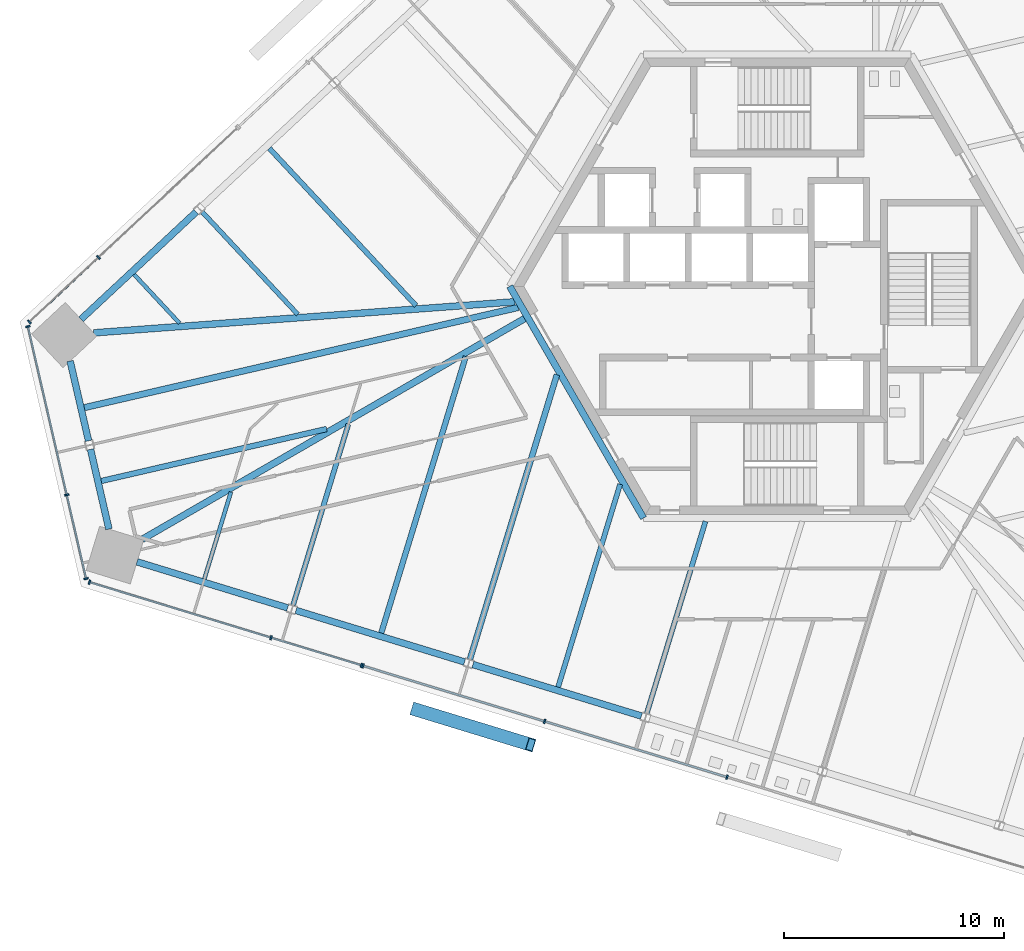
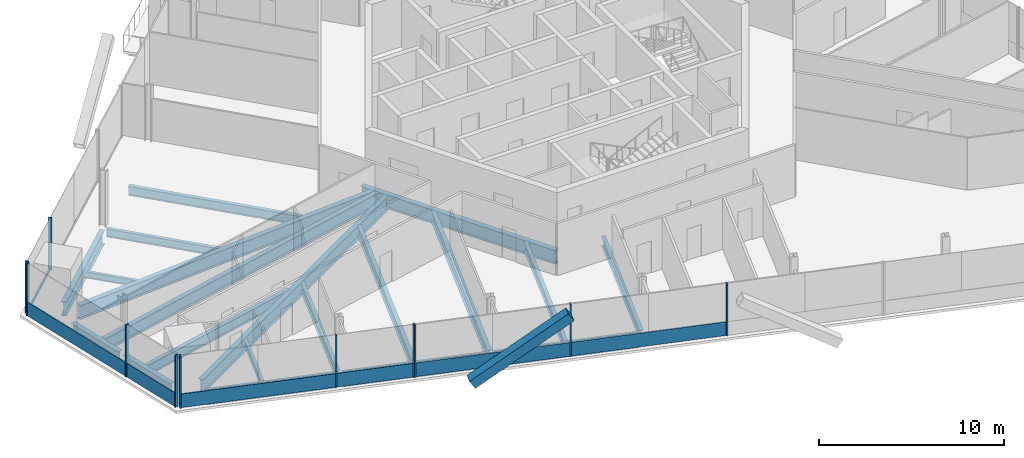
# One storey, part 4 of 19: 20 beams, 19 members, 4 elements without a shape of their own.
"""IFC4 building model written with IfcOpenShell, lengths in metres."""

import ifcopenshell
import ifcopenshell.guid

model = None  # the IFC model being written
_history = None  # IfcOwnerHistory: only IFC2X3 demands one
_inside = {}  # id of a spatial element -> (the spatial element, [elements in it])
_under = {}  # id of a project, library or spatial element -> (it, [spatial elements below it])
_declared = {}  # id of a project -> (the project, [libraries it declares])
_typed = {}  # id of a type object -> (the type object, [elements of that type])
_made_of = {}  # id of a material, layer set ... -> (it, [elements and type objects made of it])


def new_model(schema):
    """Start an empty IFC model of exactly this schema.

    Asked for "IFC4X3", IfcOpenShell would pick the latest addendum, in which some entities
    have other attributes; the version numbers below select the first issue.
    IFC2X3 requires an IfcOwnerHistory on every rooted entity: one is made here for all.
    """
    global model, _history
    if schema == "IFC4X3":
        model = ifcopenshell.file(schema_version=(4, 3, 0, 0))
    else:
        model = ifcopenshell.file(schema=schema)
    _inside.clear()
    _under.clear()
    _declared.clear()
    _typed.clear()
    _made_of.clear()
    _history = None
    if model.schema == "IFC2X3":
        org = make("IfcOrganization", Name="unknown")
        user = make(
            "IfcPersonAndOrganization",
            ThePerson=make("IfcPerson", FamilyName="unknown"),
            TheOrganization=org,
        )
        app = make(
            "IfcApplication",
            ApplicationDeveloper=org,
            Version="unknown",
            ApplicationFullName="unknown",
            ApplicationIdentifier="unknown",
        )
        _history = make(
            "IfcOwnerHistory",
            OwningUser=user,
            OwningApplication=app,
            ChangeAction="ADDED",
            CreationDate=0,
        )
    return model


def make(cls, **values):
    """One entity of the class cls with the attributes given. An attribute that is None is left unset."""
    return model.create_entity(
        cls, **{name: value for name, value in values.items() if value is not None}
    )


def rooted(cls, **values):
    """An entity with a GlobalId (a new one), such as an element, a storey or a relation."""
    return make(cls, GlobalId=ifcopenshell.guid.new(), OwnerHistory=_history, **values)


def si_unit(unit_type, name, prefix=None):
    """IfcSIUnit, for example si_unit("LENGTHUNIT", "METRE", prefix="MILLI")."""
    return make("IfcSIUnit", UnitType=unit_type, Prefix=prefix, Name=name)


def assignment(units):
    """IfcUnitAssignment: the units of a project."""
    return None if units is None else make("IfcUnitAssignment", Units=units)


def point(xyz):
    """IfcCartesianPoint."""
    return None if xyz is None else make("IfcCartesianPoint", Coordinates=xyz)


def direction(xyz):
    """IfcDirection."""
    return None if xyz is None else make("IfcDirection", DirectionRatios=xyz)


def frame(location, z_axis=None, x_axis=None):
    """IfcAxis2Placement3D, a coordinate frame: its origin and axes. An axis left out is left unset."""
    return make(
        "IfcAxis2Placement3D",
        Location=point(location),
        Axis=direction(z_axis),
        RefDirection=direction(x_axis),
    )


def frame_2d(location, x_axis=None):
    """IfcAxis2Placement2D, a coordinate frame in the plane: its origin and x axis."""
    return make(
        "IfcAxis2Placement2D", Location=point(location), RefDirection=direction(x_axis)
    )


def origin():
    """The frame at (0, 0, 0) with its axes left unset."""
    return frame((0.0, 0.0, 0.0))


def origin_2d():
    """The frame at (0, 0) in the plane with its x axis left unset."""
    return frame_2d((0.0, 0.0))


def place(relative_to, where):
    """IfcLocalPlacement: puts the frame where relative to a parent placement (None: the world)."""
    return make(
        "IfcLocalPlacement", PlacementRelTo=relative_to, RelativePlacement=where
    )


def context(
    kind, dimensions, precision=None, world=None, true_north=None, identifier=None
):
    """IfcGeometricRepresentationContext, for example the 3D "Model" context."""
    return make(
        "IfcGeometricRepresentationContext",
        ContextIdentifier=identifier,
        ContextType=kind,
        CoordinateSpaceDimension=dimensions,
        Precision=precision,
        WorldCoordinateSystem=world,
        TrueNorth=true_north,
    )


def subcontext(parent, identifier, kind, view, scale=None):
    """IfcGeometricRepresentationSubContext, for example "Body" below "Model"."""
    return make(
        "IfcGeometricRepresentationSubContext",
        ContextIdentifier=identifier,
        ContextType=kind,
        ParentContext=parent,
        TargetScale=scale,
        TargetView=view,
    )


def project(units=None, contexts=None):
    """IfcProject with its units and contexts."""
    return rooted(
        "IfcProject",
        Name="project",
        RepresentationContexts=contexts,
        UnitsInContext=assignment(units),
    )


def spatial(cls, under=None, at=None, **own):
    """A site, building, storey or space (cls), placed at a placement, below another one or the project."""
    s = rooted(cls, ObjectPlacement=at, **own)
    if under is not None:
        _under.setdefault(under.id(), (under, []))[1].append(s)
    return s


def profile(cls, at=None, kind="AREA", **sizes):
    """A parametric profile (cls). Its sizes go by their IFC names, for example OverallWidth=200.0."""
    return make(cls, ProfileType=kind, Position=at, **sizes)


def rectangle(**sizes):
    """IfcRectangleProfileDef."""
    return profile("IfcRectangleProfileDef", **sizes)


def hollow_rectangle(**sizes):
    """IfcRectangleHollowProfileDef."""
    return profile("IfcRectangleHollowProfileDef", **sizes)


def i_section(**sizes):
    """IfcIShapeProfileDef."""
    return profile("IfcIShapeProfileDef", **sizes)


def extrude(swept, where, along, depth):
    """IfcExtrudedAreaSolid: the profile swept, set in the frame where, extruded along a direction by depth."""
    return make(
        "IfcExtrudedAreaSolid",
        SweptArea=swept,
        Position=where,
        ExtrudedDirection=direction(along),
        Depth=depth,
    )


def shape(context_of_items, identifier, shape_type, items):
    """IfcShapeRepresentation: the items that make up one representation, for example the "Body"."""
    return make(
        "IfcShapeRepresentation",
        ContextOfItems=context_of_items,
        RepresentationIdentifier=identifier,
        RepresentationType=shape_type,
        Items=items,
    )


def source(mapping_origin, context_of_items, identifier, shape_type, items):
    """IfcRepresentationMap: a shape defined once, which mapped items show again and again."""
    return make(
        "IfcRepresentationMap",
        MappingOrigin=mapping_origin,
        MappedRepresentation=shape(context_of_items, identifier, shape_type, items),
    )


def transform(
    local_origin,
    x_axis=None,
    y_axis=None,
    z_axis=None,
    scale=None,
    scale2=None,
    scale3=None,
    uniform=True,
):
    """IfcCartesianTransformationOperator3D, or its non-uniform kind. x_axis, y_axis, z_axis: its Axis1, 2, 3."""
    if uniform:
        return make(
            "IfcCartesianTransformationOperator3D",
            Axis1=direction(x_axis),
            Axis2=direction(y_axis),
            LocalOrigin=point(local_origin),
            Scale=scale,
            Axis3=direction(z_axis),
        )
    return make(
        "IfcCartesianTransformationOperator3DnonUniform",
        Axis1=direction(x_axis),
        Axis2=direction(y_axis),
        LocalOrigin=point(local_origin),
        Scale=scale,
        Axis3=direction(z_axis),
        Scale2=scale2,
        Scale3=scale3,
    )


def mapped(mapping_source, mapping_target):
    """IfcMappedItem: shows the shape of a source again, moved by a transform."""
    return make(
        "IfcMappedItem", MappingSource=mapping_source, MappingTarget=mapping_target
    )


def material(Name=None, Category=None):
    """IfcMaterial."""
    return make("IfcMaterial", Name=Name, Category=Category)


def material_profile(
    of_material, cross_section, Name=None, Category=None, Priority=None
):
    """IfcMaterialProfile: a cross section and its material."""
    return make(
        "IfcMaterialProfile",
        Name=Name,
        Material=of_material,
        Profile=cross_section,
        Priority=Priority,
        Category=Category,
    )


def profile_set(profiles, Name=None, composite=None):
    """IfcMaterialProfileSet."""
    return make(
        "IfcMaterialProfileSet",
        Name=Name,
        MaterialProfiles=profiles,
        CompositeProfile=composite,
    )


def made_of(thing, what):
    """Note that an element or type object is made of a material, layer set ...; save() writes the relation."""
    if what is not None:
        _made_of.setdefault(what.id(), (what, []))[1].append(thing)
    return thing


def type_object(cls, material=None, **own):
    """A type object (cls), such as IfcWallType, which elements share."""
    return made_of(rooted(cls, **own), material)


def element(
    cls,
    number,
    at=None,
    inside=None,
    cuts=None,
    type_object=None,
    material=None,
    context=None,
    identifier="Body",
    shape_type=None,
    held_by="IfcProductDefinitionShape",
    body=None,
    shapes=None,
    **own,
):
    """One element of the class cls, such as IfcWall. Its Tag is "e" and its number.

    at: its placement. inside: the storey or other place that contains it. cuts: it is an
    opening in that element (IfcRelVoidsElement). A single representation is given by context,
    identifier, shape_type and body (its items); several are given by shapes. held_by: the class
    of the entity that holds the representations. save() writes the other relations.
    """
    e = rooted(cls, Tag="e%d" % number, ObjectPlacement=at, **own)
    if body is not None:
        shapes = [shape(context, identifier, shape_type, body)]
    if shapes is not None:
        e.Representation = make(held_by, Representations=shapes)
    if inside is not None:
        _inside.setdefault(inside.id(), (inside, []))[1].append(e)
    if cuts is not None:
        rooted(
            "IfcRelVoidsElement", RelatingBuildingElement=cuts, RelatedOpeningElement=e
        )
    if type_object is not None:
        _typed.setdefault(type_object.id(), (type_object, []))[1].append(e)
    return made_of(e, material)


def aggregate(whole, parts):
    """IfcRelAggregates: a whole, such as a stair, and the parts it consists of."""
    return rooted("IfcRelAggregates", RelatingObject=whole, RelatedObjects=parts)


def save(model, path):
    """Write the relations noted so far, then the file.

    IfcRelAggregates (storeys below a building ...), IfcRelContainedInSpatialStructure (elements
    in a storey), IfcRelDefinesByType, IfcRelAssociatesMaterial and IfcRelDeclares: one each for
    every whole, place, type object, material and project.
    """
    for whole, parts in _under.values():
        aggregate(whole, parts)
    for where, things in _inside.values():
        rooted(
            "IfcRelContainedInSpatialStructure",
            RelatedElements=things,
            RelatingStructure=where,
        )
    for kind, things in _typed.values():
        rooted("IfcRelDefinesByType", RelatedObjects=things, RelatingType=kind)
    for what, things in _made_of.values():
        rooted("IfcRelAssociatesMaterial", RelatedObjects=things, RelatingMaterial=what)
    for by, libraries in _declared.values():
        rooted("IfcRelDeclares", RelatingContext=by, RelatedDefinitions=libraries)
    model.write(path)


model = new_model("IFC4")

# Units and contexts
model_context = context("Model", 3, precision=1e-05, world=origin(), true_north=direction((0.0, 1.0)))
body_context = subcontext(model_context, "Body", "Model", "MODEL_VIEW")
ifc_project = project(units=[si_unit("LENGTHUNIT", "METRE"), si_unit("AREAUNIT", "SQUARE_METRE"), si_unit("VOLUMEUNIT", "CUBIC_METRE"), si_unit("PLANEANGLEUNIT", "RADIAN"), si_unit("MASSUNIT", "GRAM", prefix="KILO")], contexts=[model_context])

# Site, building, storey
site_placement = place(None, origin())
site = spatial("IfcSite", under=ifc_project, at=site_placement, CompositionType="ELEMENT")
building_placement = place(site_placement, origin())
building = spatial("IfcBuilding", under=site, at=building_placement, Name="Triune Harvest Tower", CompositionType="ELEMENT")
storey_placement = place(building_placement, frame((0.0, 0.0, 109.10009765625)))
storey = spatial("IfcBuildingStorey", under=building, at=storey_placement, Name="L27", CompositionType="ELEMENT", Elevation=109.10009765625)

# Beams
ifc_material_1 = material(Name="Steel ASTM A992 Gr 50", Category="steel")
ifc_material_profile_1 = material_profile(ifc_material_1, i_section(OverallWidth=0.3046875, OverallDepth=0.914306640625, WebThickness=0.0166015625, FlangeThickness=0.02587890625, at=origin_2d()), Name="W36x160")
ifc_profile_set_1 = profile_set([ifc_material_profile_1], Name="Steel ASTM A992 Gr 50")
beam_type_1 = type_object("IfcBeamType", Name="CG-1 Core ring girder W36x160", PredefinedType="BEAM", material=ifc_profile_set_1)
shared_shape_1 = source(origin(), body_context, "Body", "SweptSolid", [
    extrude(i_section(OverallWidth=0.3046875, OverallDepth=0.914306640625, WebThickness=0.0166015625, FlangeThickness=0.02587890625, at=origin_2d()), origin(), (0.0, 0.0, 1.0), 12.176025390625),
])
beam_1_placement = place(storey_placement, frame((-12.176025390625, 0.0, -0.6171875), z_axis=(0.5000099932, -0.866019634131, 0.0), x_axis=(0.866019634131, 0.5000099932, 0.0)))
element("IfcBeam", 1, at=beam_1_placement, inside=storey, type_object=beam_type_1, Name="beam/L27/CG4", PredefinedType="BEAM", context=body_context, shape_type="MappedRepresentation", body=[
    mapped(shared_shape_1, transform((0.0, 0.0, 0.0), scale=1.0)),
])
ifc_material_2 = material(Name="Steel ASTM A992 Gr 50", Category="steel")
ifc_material_profile_2 = material_profile(ifc_material_2, i_section(OverallWidth=0.3046875, OverallDepth=0.914306640625, WebThickness=0.0166015625, FlangeThickness=0.02587890625, at=origin_2d()), Name="W36x160")
ifc_profile_set_2 = profile_set([ifc_material_profile_2], Name="Steel ASTM A992 Gr 50")
beam_type_2 = type_object("IfcBeamType", Name="SB-1 Spandrel beam W36x160", PredefinedType="SPANDREL", material=ifc_profile_set_2)
shared_shape_2 = source(origin(), body_context, "Body", "SweptSolid", [
    extrude(i_section(OverallWidth=0.3046875, OverallDepth=0.914306640625, WebThickness=0.0166015625, FlangeThickness=0.02587890625, at=origin_2d()), origin(), (0.0, 0.0, 1.0), 8.018310546875),
])
beam_2_placement = place(storey_placement, frame((-21.8994140625, -14.747314453125, -0.6171875), z_axis=(0.956308069579, -0.292360866152, 0.0), x_axis=(0.292360866152, 0.956308069579, 0.0)))
element("IfcBeam", 2, at=beam_2_placement, inside=storey, type_object=beam_type_2, Name="beam/L27/SB18", PredefinedType="SPANDREL", context=body_context, shape_type="MappedRepresentation", body=[
    mapped(shared_shape_2, transform((0.0, 0.0, 0.0), scale=1.0)),
])
shared_shape_3 = source(origin(), body_context, "Body", "SweptSolid", [
    extrude(i_section(OverallWidth=0.3046875, OverallDepth=0.914306640625, WebThickness=0.0166015625, FlangeThickness=0.02587890625, at=origin_2d()), origin(), (0.0, 0.0, 1.0), 8.01806640625),
])
beam_3_placement = place(storey_placement, frame((-13.8525390625, -17.207275390625, -0.6171875), z_axis=(0.956305466934, -0.292369379231, 0.0), x_axis=(0.292369379231, 0.956305466934, 0.0)))
element("IfcBeam", 3, at=beam_3_placement, inside=storey, type_object=beam_type_2, Name="beam/L27/SB19", PredefinedType="SPANDREL", context=body_context, shape_type="MappedRepresentation", body=[
    mapped(shared_shape_3, transform((0.0, 0.0, 0.0), scale=1.0)),
])
shared_shape_4 = source(origin(), body_context, "Body", "SweptSolid", [
    extrude(i_section(OverallWidth=0.3046875, OverallDepth=0.914306640625, WebThickness=0.0166015625, FlangeThickness=0.02587890625, at=origin_2d()), origin(), (0.0, 0.0, 1.0), 7.16650390625),
])
for number, where, z_axis, x_axis, name in (
    (4, (-26.4375, 3.384521484375, -0.6171875), (-0.731357675554, -0.681994098515, 0.0), (0.681994098515, -0.731357675554, 0.0), "beam/L27/SB14"),
    (5, (-29.131591796875, -12.5361328125, -0.6171875), (0.956306336732, -0.292366534211, 0.0), (0.292366534211, 0.956306336732, 0.0), "beam/L27/SB17"),
):
    element("IfcBeam", number, at=place(storey_placement, frame(where, z_axis=z_axis, x_axis=x_axis)), inside=storey, type_object=beam_type_2, Name=name, PredefinedType="SPANDREL", context=body_context, shape_type="MappedRepresentation", body=[
        mapped(shared_shape_4, transform((0.0, 0.0, 0.0), scale=1.0)),
    ])
shared_shape_5 = source(origin(), body_context, "Body", "SweptSolid", [
    extrude(i_section(OverallWidth=0.3046875, OverallDepth=0.914306640625, WebThickness=0.0166015625, FlangeThickness=0.02587890625, at=origin_2d()), origin(), (0.0, 0.0, 1.0), 3.72607421875),
])
for number, where, z_axis, x_axis, name in (
    (6, (-32.173828125, -3.400390625, -0.6171875), (0.224936070713, -0.974373523908, 0.0), (0.974373523908, 0.224936070713, 0.0), "beam/L27/SB15"),
    (7, (-31.24658203125, -7.4169921875, -0.6171875), (0.224998275907, -0.974359161623, 0.0), (0.974359161623, 0.224998275907, 0.0), "beam/L27/SB16"),
):
    element("IfcBeam", number, at=place(storey_placement, frame(where, z_axis=z_axis, x_axis=x_axis)), inside=storey, type_object=beam_type_2, Name=name, PredefinedType="SPANDREL", context=body_context, shape_type="MappedRepresentation", body=[
        mapped(shared_shape_5, transform((0.0, 0.0, 0.0), scale=1.0)),
    ])
ifc_material_3 = material(Name="Steel ASTM A992 Gr 50", Category="steel")
ifc_material_profile_3 = material_profile(ifc_material_3, i_section(OverallWidth=0.307373046875, OverallDepth=0.922119140625, WebThickness=0.018310546875, FlangeThickness=0.030029296875, at=origin_2d()), Name="W36x182")
ifc_profile_set_3 = profile_set([ifc_material_profile_3], Name="Steel ASTM A992 Gr 50")
beam_type_3 = type_object("IfcBeamType", Name="HG-2 Hip girder W36x182", PredefinedType="BEAM", material=ifc_profile_set_3)
shared_shape_6 = source(origin(), body_context, "Body", "SweptSolid", [
    extrude(i_section(OverallWidth=0.307373046875, OverallDepth=0.922119140625, WebThickness=0.018310546875, FlangeThickness=0.030029296875, at=origin_2d()), origin(), (0.0, 0.0, 1.0), 19.2109375),
])
beam_4_placement = place(storey_placement, frame((-31.103515625, -2.119873046875, -0.62109375), z_axis=(0.997285410262, 0.07363294425, 0.0), x_axis=(-0.07363294425, 0.997285410262, 0.0)))
element("IfcBeam", 8, at=beam_4_placement, inside=storey, type_object=beam_type_3, Name="beam/L27/HG5", PredefinedType="BEAM", context=body_context, shape_type="MappedRepresentation", body=[
    mapped(shared_shape_6, transform((0.0, 0.0, 0.0), scale=1.0)),
])
shared_shape_7 = source(origin(), body_context, "Body", "SweptSolid", [
    extrude(i_section(OverallWidth=0.307373046875, OverallDepth=0.922119140625, WebThickness=0.018310546875, FlangeThickness=0.030029296875, at=origin_2d()), origin(), (0.0, 0.0, 1.0), 20.080078125),
])
beam_5_placement = place(storey_placement, frame((-28.892333984375, -11.51123046875, -0.62109375), z_axis=(0.866025837197, 0.499999249307, 0.0), x_axis=(-0.499999249307, 0.866025837197, 0.0)))
element("IfcBeam", 9, at=beam_5_placement, inside=storey, type_object=beam_type_3, Name="beam/L27/HG6", PredefinedType="BEAM", context=body_context, shape_type="MappedRepresentation", body=[
    mapped(shared_shape_7, transform((0.0, 0.0, 0.0), scale=1.0)),
])
ifc_material_4 = material(Name="Steel ASTM A992 Gr 50", Category="steel")
ifc_material_profile_4 = material_profile(ifc_material_4, i_section(OverallWidth=0.22900390625, OverallDepth=0.612060546875, WebThickness=0.011962890625, FlangeThickness=0.01953125, at=origin_2d()), Name="W24x84")
ifc_profile_set_4 = profile_set([ifc_material_profile_4], Name="Steel ASTM A992 Gr 50")
beam_type_4 = type_object("IfcBeamType", Name="JT-3 Floor joist W24x84", PredefinedType="JOIST", material=ifc_profile_set_4)
shared_shape_8 = source(origin(), body_context, "Body", "SweptSolid", [
    extrude(i_section(OverallWidth=0.22900390625, OverallDepth=0.612060546875, WebThickness=0.011962890625, FlangeThickness=0.01953125, at=origin_2d()), origin(), (0.0, 0.0, 1.0), 9.129150390625),
])
beam_6_placement = place(storey_placement, frame((-5.939453125, -19.42724609375, -0.46630859375), z_axis=(0.292356457167, 0.956309417476, 0.0), x_axis=(-0.956309417476, 0.292356457167, 0.0)))
element("IfcBeam", 10, at=beam_6_placement, inside=storey, type_object=beam_type_4, Name="beam/L27/JT32", PredefinedType="JOIST", context=body_context, shape_type="MappedRepresentation", body=[
    mapped(shared_shape_8, transform((0.0, 0.0, 0.0), scale=1.0)),
])
shared_shape_9 = source(origin(), body_context, "Body", "SweptSolid", [
    extrude(i_section(OverallWidth=0.22900390625, OverallDepth=0.612060546875, WebThickness=0.011962890625, FlangeThickness=0.01953125, at=origin_2d()), origin(), (0.0, 0.0, 1.0), 9.790283203125),
])
beam_7_placement = place(storey_placement, frame((-23.11181640625, 6.27734375, -0.46630859375), z_axis=(0.682000995077, -0.731351244419, 0.0), x_axis=(0.731351244419, 0.682000995077, 0.0)))
element("IfcBeam", 11, at=beam_7_placement, inside=storey, type_object=beam_type_4, Name="beam/L27/JT22", PredefinedType="JOIST", context=body_context, shape_type="MappedRepresentation", body=[
    mapped(shared_shape_9, transform((0.0, 0.0, 0.0), scale=1.0)),
])
ifc_material_5 = material(Name="Steel ASTM A992 Gr 50", Category="steel")
ifc_material_profile_5 = material_profile(ifc_material_5, i_section(OverallWidth=0.180908203125, OverallDepth=0.41650390625, WebThickness=0.010986328125, FlangeThickness=0.01806640625, at=origin_2d()), Name="W16x57")
ifc_profile_set_5 = profile_set([ifc_material_profile_5], Name="Steel ASTM A992 Gr 50")
beam_type_5 = type_object("IfcBeamType", Name="JT-1 Floor joist W16x57", PredefinedType="JOIST", material=ifc_profile_set_5)
shared_shape_10 = source(origin(), body_context, "Body", "SweptSolid", [
    extrude(i_section(OverallWidth=0.180908203125, OverallDepth=0.41650390625, WebThickness=0.010986328125, FlangeThickness=0.01806640625, at=origin_2d()), origin(), (0.0, 0.0, 1.0), 3.0302734375),
])
beam_8_placement = place(storey_placement, frame((-29.265625, 0.538818359375, -0.368408203125), z_axis=(0.681982331581, -0.731368648091, 0.0), x_axis=(0.731368648091, 0.681982331581, 0.0)))
element("IfcBeam", 12, at=beam_8_placement, inside=storey, type_object=beam_type_5, Name="beam/L27/JT24", PredefinedType="JOIST", context=body_context, shape_type="MappedRepresentation", body=[
    mapped(shared_shape_10, transform((0.0, 0.0, 0.0), scale=1.0)),
])
shared_shape_11 = source(origin(), body_context, "Body", "SweptSolid", [
    extrude(i_section(OverallWidth=0.180908203125, OverallDepth=0.41650390625, WebThickness=0.010986328125, FlangeThickness=0.01806640625, at=origin_2d()), origin(), (0.0, 0.0, 1.0), 4.134033203125),
])
beam_9_placement = place(storey_placement, frame((-26.067626953125, -13.3134765625, -0.368408203125), z_axis=(0.29238807321, 0.956299751461, 0.0), x_axis=(-0.956299751461, 0.29238807321, 0.0)))
element("IfcBeam", 13, at=beam_9_placement, inside=storey, type_object=beam_type_5, Name="beam/L27/JT27", PredefinedType="JOIST", context=body_context, shape_type="MappedRepresentation", body=[
    mapped(shared_shape_11, transform((0.0, 0.0, 0.0), scale=1.0)),
])
shared_shape_12 = source(origin(), body_context, "Body", "SweptSolid", [
    extrude(i_section(OverallWidth=0.22900390625, OverallDepth=0.612060546875, WebThickness=0.011962890625, FlangeThickness=0.01953125, at=origin_2d()), origin(), (0.0, 0.0, 1.0), 8.607666015625),
])
beam_10_placement = place(storey_placement, frame((-22.033203125, -14.507080078125, -0.46630859375), z_axis=(0.29237129862, 0.956304880121, 0.0), x_axis=(-0.956304880121, 0.29237129862, 0.0)))
element("IfcBeam", 14, at=beam_10_placement, inside=storey, type_object=beam_type_4, Name="beam/L27/JT28", PredefinedType="JOIST", context=body_context, shape_type="MappedRepresentation", body=[
    mapped(shared_shape_12, transform((0.0, 0.0, 0.0), scale=1.0)),
])
ifc_material_6 = material(Name="Steel ASTM A992 Gr 50", Category="steel")
ifc_material_profile_6 = material_profile(ifc_material_6, i_section(OverallWidth=0.253662109375, OverallDepth=0.683349609375, WebThickness=0.012451171875, FlangeThickness=0.01904296875, at=origin_2d()), Name="W27x94")
ifc_profile_set_6 = profile_set([ifc_material_profile_6], Name="Steel ASTM A992 Gr 50")
beam_type_6 = type_object("IfcBeamType", Name="JT-4 Floor joist W27x94", PredefinedType="JOIST", material=ifc_profile_set_6)
shared_shape_13 = source(origin(), body_context, "Body", "SweptSolid", [
    extrude(i_section(OverallWidth=0.253662109375, OverallDepth=0.683349609375, WebThickness=0.012451171875, FlangeThickness=0.01904296875, at=origin_2d()), origin(), (0.0, 0.0, 1.0), 13.157470703125),
])
beam_11_placement = place(storey_placement, frame((-18.02099609375, -15.773681640625, -0.501708984375), z_axis=(0.292375983311, 0.956303447857, 0.0), x_axis=(-0.956303447857, 0.292375983311, 0.0)))
element("IfcBeam", 15, at=beam_11_placement, inside=storey, type_object=beam_type_6, Name="beam/L27/JT29", PredefinedType="JOIST", context=body_context, shape_type="MappedRepresentation", body=[
    mapped(shared_shape_13, transform((0.0, 0.0, 0.0), scale=1.0)),
])
shared_shape_14 = source(origin(), body_context, "Body", "SweptSolid", [
    extrude(i_section(OverallWidth=0.22900390625, OverallDepth=0.612060546875, WebThickness=0.011962890625, FlangeThickness=0.01953125, at=origin_2d()), origin(), (0.0, 0.0, 1.0), 9.64990234375),
])
beam_12_placement = place(storey_placement, frame((-9.97412109375, -18.233642578125, -0.46630859375), z_axis=(0.292387575984, 0.956299903488, 0.0), x_axis=(-0.956299903488, 0.292387575984, 0.0)))
element("IfcBeam", 16, at=beam_12_placement, inside=storey, type_object=beam_type_4, Name="beam/L27/JT31", PredefinedType="JOIST", context=body_context, shape_type="MappedRepresentation", body=[
    mapped(shared_shape_14, transform((0.0, 0.0, 0.0), scale=1.0)),
])
ifc_material_7 = material(Name="Steel ASTM A992 Gr 50", Category="steel")
ifc_material_profile_7 = material_profile(ifc_material_7, i_section(OverallWidth=0.2099609375, OverallDepth=0.535888671875, WebThickness=0.010986328125, FlangeThickness=0.017333984375, at=origin_2d()), Name="W21x68")
ifc_profile_set_7 = profile_set([ifc_material_profile_7], Name="Steel ASTM A992 Gr 50")
beam_type_7 = type_object("IfcBeamType", Name="JT-2 Floor joist W21x68", PredefinedType="JOIST", material=ifc_profile_set_7)
shared_shape_15 = source(origin(), body_context, "Body", "SweptSolid", [
    extrude(i_section(OverallWidth=0.2099609375, OverallDepth=0.535888671875, WebThickness=0.010986328125, FlangeThickness=0.017333984375, at=origin_2d()), origin(), (0.0, 0.0, 1.0), 6.3720703125),
])
beam_13_placement = place(storey_placement, frame((-26.16259765625, 3.380126953125, -0.427978515625), z_axis=(0.682001475832, -0.731350796105, 0.0), x_axis=(0.731350796105, 0.682001475832, 0.0)))
element("IfcBeam", 17, at=beam_13_placement, inside=storey, type_object=beam_type_7, Name="beam/L27/JT23", PredefinedType="JOIST", context=body_context, shape_type="MappedRepresentation", body=[
    mapped(shared_shape_15, transform((0.0, 0.0, 0.0), scale=1.0)),
])
ifc_material_8 = material(Name="Steel ASTM A992 Gr 50", Category="steel")
ifc_material_profile_8 = material_profile(ifc_material_8, i_section(OverallWidth=0.2919921875, OverallDepth=0.8583984375, WebThickness=0.01708984375, FlangeThickness=0.031005859375, at=origin_2d()), Name="W33x169")
ifc_profile_set_8 = profile_set([ifc_material_profile_8], Name="Steel ASTM A992 Gr 50")
beam_type_8 = type_object("IfcBeamType", Name="JT-7 Floor joist W33x169", PredefinedType="JOIST", material=ifc_profile_set_8)
shared_shape_16 = source(origin(), body_context, "Body", "SweptSolid", [
    extrude(i_section(OverallWidth=0.2919921875, OverallDepth=0.8583984375, WebThickness=0.01708984375, FlangeThickness=0.031005859375, at=origin_2d()), origin(), (0.0, 0.0, 1.0), 20.25244140625),
])
beam_14_placement = place(storey_placement, frame((-31.52783203125, -5.521484375, -0.58935546875), z_axis=(0.974371687507, 0.224944025448, 0.0), x_axis=(-0.224944025448, 0.974371687507, 0.0)))
element("IfcBeam", 18, at=beam_14_placement, inside=storey, type_object=beam_type_8, Name="beam/L27/JT25", PredefinedType="JOIST", context=body_context, shape_type="MappedRepresentation", body=[
    mapped(shared_shape_16, transform((0.0, 0.0, 0.0), scale=1.0)),
])
shared_shape_17 = source(origin(), body_context, "Body", "SweptSolid", [
    extrude(i_section(OverallWidth=0.253662109375, OverallDepth=0.683349609375, WebThickness=0.012451171875, FlangeThickness=0.01904296875, at=origin_2d()), origin(), (0.0, 0.0, 1.0), 10.52294921875),
])
beam_15_placement = place(storey_placement, frame((-30.75732421875, -8.858154296875, -0.501708984375), z_axis=(0.974368902387, 0.224956089186, 0.0), x_axis=(-0.224956089186, 0.974368902387, 0.0)))
element("IfcBeam", 19, at=beam_15_placement, inside=storey, type_object=beam_type_6, Name="beam/L27/JT26", PredefinedType="JOIST", context=body_context, shape_type="MappedRepresentation", body=[
    mapped(shared_shape_17, transform((0.0, 0.0, 0.0), scale=1.0)),
])
ifc_material_9 = material(Name="Steel ASTM A992 Gr 50", Category="steel")
ifc_material_profile_9 = material_profile(ifc_material_9, i_section(OverallWidth=0.2666015625, OverallDepth=0.7568359375, WebThickness=0.013916015625, FlangeThickness=0.019287109375, at=origin_2d()), Name="W30x108")
ifc_profile_set_9 = profile_set([ifc_material_profile_9], Name="Steel ASTM A992 Gr 50")
beam_type_9 = type_object("IfcBeamType", Name="JT-5 Floor joist W30x108", PredefinedType="JOIST", material=ifc_profile_set_9)
shared_shape_18 = source(origin(), body_context, "Body", "SweptSolid", [
    extrude(i_section(OverallWidth=0.2666015625, OverallDepth=0.7568359375, WebThickness=0.013916015625, FlangeThickness=0.019287109375, at=origin_2d()), origin(), (0.0, 0.0, 1.0), 13.53515625),
])
beam_16_placement = place(storey_placement, frame((-13.986328125, -16.96728515625, -0.53857421875), z_axis=(0.292367922799, 0.956305912205, 0.0), x_axis=(-0.956305912205, 0.292367922799, 0.0)))
element("IfcBeam", 20, at=beam_16_placement, inside=storey, type_object=beam_type_9, Name="beam/L27/JT30", PredefinedType="JOIST", context=body_context, shape_type="MappedRepresentation", body=[
    mapped(shared_shape_18, transform((0.0, 0.0, 0.0), scale=1.0)),
])

# Member
ifc_material_10 = material(Name="Steel ASTM A572 Gr 50", Category="steel")
ifc_material_profile_10 = material_profile(ifc_material_10, hollow_rectangle(XDim=0.60009765625, YDim=0.60009765625, WallThickness=0.0400390625, at=origin_2d()), Name="Box 600x600x40")
ifc_profile_set_10 = profile_set([ifc_material_profile_10], Name="Steel ASTM A572 Gr 50")
member_type_1 = type_object("IfcMemberType", Name="BR-2 Brace Box 600x600x40", PredefinedType="BRACE", material=ifc_profile_set_10)
shared_shape_19 = source(origin(), body_context, "Body", "SweptSolid", [
    extrude(hollow_rectangle(XDim=0.60009765625, YDim=0.60009765625, WallThickness=0.0400390625, at=origin_2d()), origin(), (0.0, 0.0, 1.0), 6.56640625),
])
member_1_placement = place(storey_placement, frame((-16.473876953125, -19.248779296875, 0.0), z_axis=(0.799784211376, -0.244534459496, 0.548222685916), x_axis=(0.292389077488, 0.956299444403, 0.0)))
element("IfcMember", 21, at=member_1_placement, inside=storey, type_object=member_type_1, Name="brace/B3-F5/d1/4", PredefinedType="BRACE", context=body_context, shape_type="MappedRepresentation", body=[
    mapped(shared_shape_19, transform((0.0, 0.0, 0.0), scale=1.0)),
])

# Curtain wall, members
ifc_material_11 = material(Name="Aluminium bronze anodised", Category="aluminium")
curtain_wall_type_1 = type_object("IfcCurtainWallType", Name="CW-1 Tower stick curtain wall", PredefinedType="NOTDEFINED", material=ifc_material_11)
curtain_wall_1_placement = place(storey_placement, origin())
curtain_wall_1 = element("IfcCurtainWall", 22, at=curtain_wall_1_placement, inside=storey, type_object=curtain_wall_type_1, Name="CW-1 B3-F4 L27 run 1")
ifc_material_12 = material(Name="Aluminium bronze anodised", Category="aluminium")
ifc_material_profile_11 = material_profile(ifc_material_12, rectangle(XDim=0.199951171875, YDim=0.074951171875, at=origin_2d()), Name="MU-1 mullion 75 x 200")
ifc_profile_set_11 = profile_set([ifc_material_profile_11], Name="Aluminium bronze anodised")
member_type_2 = type_object("IfcMemberType", Name="MU-1 mullion 75 x 200", PredefinedType="MULLION", material=ifc_profile_set_11)
shared_shape_20 = source(origin(), body_context, "Body", "SweptSolid", [
    extrude(rectangle(XDim=0.199951171875, YDim=0.074951171875, at=origin_2d()), origin(), (0.0, 0.0, 1.0), 3.43994140625),
])
member_2_placement = place(storey_placement, frame((-34.0947265625, -1.83056640625, 0.0), z_axis=(0.0, 0.0, 1.0), x_axis=(0.974371012181, 0.224946950683, 0.0)))
member_2 = element("IfcMember", 23, at=member_2_placement, type_object=member_type_2, Name="CW-1 mullion B3-F4 1.1", PredefinedType="MULLION", context=body_context, shape_type="MappedRepresentation", body=[
    mapped(shared_shape_20, transform((0.0, 0.0, 0.0), scale=1.0)),
])
member_3_placement = place(storey_placement, frame((-32.32666015625, -9.489501953125, 0.0), z_axis=(0.0, 0.0, 1.0), x_axis=(0.974371012181, 0.224946950683, 0.0)))
member_3 = element("IfcMember", 24, at=member_3_placement, type_object=member_type_2, Name="CW-1 mullion B3-F4 1.3", PredefinedType="MULLION", context=body_context, shape_type="MappedRepresentation", body=[
    mapped(shared_shape_20, transform((0.0, 0.0, 0.0), scale=1.0)),
])
member_4_placement = place(storey_placement, frame((-31.44677734375, -13.30078125, 0.0), z_axis=(0.0, 0.0, 1.0), x_axis=(0.974371012181, 0.224946950683, 0.0)))
member_4 = element("IfcMember", 25, at=member_4_placement, type_object=member_type_2, Name="CW-1 mullion B3-F4 1.4", PredefinedType="MULLION", context=body_context, shape_type="MappedRepresentation", body=[
    mapped(shared_shape_20, transform((0.0, 0.0, 0.0), scale=1.0)),
])

curtain_wall_2_placement = place(storey_placement, origin())
curtain_wall_2 = element("IfcCurtainWall", 26, at=curtain_wall_2_placement, inside=storey, type_object=curtain_wall_type_1, Name="CW-1 B3-F5 L27 run 1")
member_5_placement = place(storey_placement, frame((-31.296142578125, -13.462158203125, 0.0), z_axis=(0.0, 0.0, 1.0), x_axis=(0.292373817276, 0.956304110088, 0.0)))
member_5 = element("IfcMember", 27, at=member_5_placement, type_object=member_type_2, Name="CW-1 mullion B3-F5 1.1", PredefinedType="MULLION", context=body_context, shape_type="MappedRepresentation", body=[
    mapped(shared_shape_20, transform((0.0, 0.0, 0.0), scale=1.0)),
])
member_6_placement = place(storey_placement, frame((-23.034423828125, -15.98828125, 0.0), z_axis=(0.0, 0.0, 1.0), x_axis=(0.292373817276, 0.956304110088, 0.0)))
member_6 = element("IfcMember", 28, at=member_6_placement, type_object=member_type_2, Name="CW-1 mullion B3-F5 1.3", PredefinedType="MULLION", context=body_context, shape_type="MappedRepresentation", body=[
    mapped(shared_shape_20, transform((0.0, 0.0, 0.0), scale=1.0)),
])
member_7_placement = place(storey_placement, frame((-18.92138671875, -17.24560546875, 0.0), z_axis=(0.0, 0.0, 1.0), x_axis=(0.292373817276, 0.956304110088, 0.0)))
member_7 = element("IfcMember", 29, at=member_7_placement, type_object=member_type_2, Name="CW-1 mullion B3-F5 1.4", PredefinedType="MULLION", context=body_context, shape_type="MappedRepresentation", body=[
    mapped(shared_shape_20, transform((0.0, 0.0, 0.0), scale=1.0)),
])

ifc_material_13 = material(Name="Aluminium bronze anodised", Category="aluminium")
curtain_wall_type_2 = type_object("IfcCurtainWallType", Name="CW-7 Tower stick curtain wall with insulated spandrel infill", PredefinedType="NOTDEFINED", material=ifc_material_13)
curtain_wall_3_placement = place(storey_placement, origin())
curtain_wall_3 = element("IfcCurtainWall", 30, at=curtain_wall_3_placement, inside=storey, type_object=curtain_wall_type_2, Name="CW-7 B3-F5 L27 run 1001")
member_8_placement = place(storey_placement, frame((-18.849853515625, -17.267578125, 0.0), z_axis=(0.0, 0.0, 1.0), x_axis=(0.292373035069, 0.956304349234, 0.0)))
member_8 = element("IfcMember", 31, at=member_8_placement, type_object=member_type_2, Name="CW-7 mullion B3-F5 1001.1", PredefinedType="MULLION", context=body_context, shape_type="MappedRepresentation", body=[
    mapped(shared_shape_20, transform((0.0, 0.0, 0.0), scale=1.0)),
])
member_9_placement = place(storey_placement, frame((-10.588134765625, -19.79345703125, 0.0), z_axis=(0.0, 0.0, 1.0), x_axis=(0.292373035069, 0.956304349234, 0.0)))
member_9 = element("IfcMember", 32, at=member_9_placement, type_object=member_type_2, Name="CW-7 mullion B3-F5 1001.3", PredefinedType="MULLION", context=body_context, shape_type="MappedRepresentation", body=[
    mapped(shared_shape_20, transform((0.0, 0.0, 0.0), scale=1.0)),
])
member_10_placement = place(storey_placement, frame((-2.29052734375, -22.330322265625, 0.0), z_axis=(0.0, 0.0, 1.0), x_axis=(0.292373035069, 0.956304349234, 0.0)))
member_10 = element("IfcMember", 33, at=member_10_placement, type_object=member_type_2, Name="CW-7 mullion B3-F5 1001.5", PredefinedType="MULLION", context=body_context, shape_type="MappedRepresentation", body=[
    mapped(shared_shape_20, transform((0.0, 0.0, 0.0), scale=1.0)),
])

ifc_material_14 = material(Name="Aluminium bronze anodised", Category="aluminium")
curtain_wall_type_3 = type_object("IfcCurtainWallType", Name="CW-6 Balcony window wall", PredefinedType="NOTDEFINED", material=ifc_material_14)
curtain_wall_4_placement = place(storey_placement, origin())
curtain_wall_4 = element("IfcCurtainWall", 34, at=curtain_wall_4_placement, inside=storey, type_object=curtain_wall_type_3, Name="CW-6 B3-F3 L27 run 1002")
ifc_material_15 = material(Name="Aluminium bronze anodised", Category="aluminium")
ifc_material_profile_12 = material_profile(ifc_material_15, rectangle(XDim=0.199951171875, YDim=0.074951171875, at=origin_2d()), Name="MU-6 mullion 75 x 200")
ifc_profile_set_12 = profile_set([ifc_material_profile_12], Name="Aluminium bronze anodised")
member_type_3 = type_object("IfcMemberType", Name="MU-6 mullion 75 x 200", PredefinedType="MULLION", material=ifc_profile_set_12)
shared_shape_21 = source(origin(), body_context, "Body", "SweptSolid", [
    extrude(rectangle(XDim=0.199951171875, YDim=0.074951171875, at=origin_2d()), origin(), (0.0, 0.0, 1.0), 3.43994140625),
])
member_11_placement = place(storey_placement, frame((-30.884765625, 1.313720703125, 0.0), z_axis=(0.0, 0.0, 1.0), x_axis=(0.681998456537, -0.731353611655, 0.0)))
member_11 = element("IfcMember", 35, at=member_11_placement, type_object=member_type_3, Name="CW-6 mullion B3-F3 1002.3", PredefinedType="MULLION", context=body_context, shape_type="MappedRepresentation", body=[
    mapped(shared_shape_21, transform((0.0, 0.0, 0.0), scale=1.0)),
])
member_12_placement = place(storey_placement, frame((-34.0302734375, -1.619384765625, 0.0), z_axis=(0.0, 0.0, 1.0), x_axis=(0.681998456537, -0.731353611655, 0.0)))
member_12 = element("IfcMember", 36, at=member_12_placement, type_object=member_type_3, Name="CW-6 mullion B3-F3 1002.4", PredefinedType="MULLION", context=body_context, shape_type="MappedRepresentation", body=[
    mapped(shared_shape_21, transform((0.0, 0.0, 0.0), scale=1.0)),
])

# Member
ifc_material_16 = material(Name="Aluminium bronze anodised", Category="aluminium")
ifc_material_profile_13 = material_profile(ifc_material_16, rectangle(XDim=0.090087890625, YDim=0.89990234375, at=origin_2d()), Name="TR-1 transom 90 x 900")
ifc_profile_set_13 = profile_set([ifc_material_profile_13], Name="Aluminium bronze anodised")
member_type_4 = type_object("IfcMemberType", Name="TR-1 transom 90 x 900", PredefinedType="USERDEFINED", material=ifc_profile_set_13)
shared_shape_22 = source(origin(), body_context, "Body", "SweptSolid", [
    extrude(rectangle(XDim=0.090087890625, YDim=0.89990234375, at=origin_2d()), origin(), (0.0, 0.0, 1.0), 3.83642578125),
])
member_13_placement = place(storey_placement, frame((-32.318115234375, -9.526123046875, 0.449951171875), z_axis=(0.224901336827, -0.974381541642, 0.0), x_axis=(0.974381541642, 0.224901336827, 0.0)))
member_13 = element("IfcMember", 37, at=member_13_placement, type_object=member_type_4, Name="CW-1 transom B3-F4 1.2", ObjectType="TRANSOM", PredefinedType="USERDEFINED", context=body_context, shape_type="MappedRepresentation", body=[
    mapped(shared_shape_22, transform((0.0, 0.0, 0.0), scale=1.0)),
])

shared_shape_23 = source(origin(), body_context, "Body", "SweptSolid", [
    extrude(rectangle(XDim=0.090087890625, YDim=0.89990234375, at=origin_2d()), origin(), (0.0, 0.0, 1.0), 7.785400390625),
])
member_14_placement = place(storey_placement, frame((-34.08642578125, -1.8671875, 0.449951171875), z_axis=(0.22493508372, -0.974373751756, 0.0), x_axis=(0.974373751756, 0.22493508372, 0.0)))
member_14 = element("IfcMember", 38, at=member_14_placement, type_object=member_type_4, Name="CW-1 transom B3-F4 1.1", ObjectType="TRANSOM", PredefinedType="USERDEFINED", context=body_context, shape_type="MappedRepresentation", body=[
    mapped(shared_shape_23, transform((0.0, 0.0, 0.0), scale=1.0)),
])

aggregate(curtain_wall_1, [member_2, member_3, member_4, member_14, member_13])

shared_shape_24 = source(origin(), body_context, "Body", "SweptSolid", [
    extrude(rectangle(XDim=0.090087890625, YDim=0.89990234375, at=origin_2d()), origin(), (0.0, 0.0, 1.0), 8.564208984375),
])
member_15_placement = place(storey_placement, frame((-31.26025390625, -13.47314453125, 0.449951171875), z_axis=(0.956297115468, -0.29239669449, 0.0), x_axis=(0.29239669449, 0.956297115468, 0.0)))
member_15 = element("IfcMember", 39, at=member_15_placement, type_object=member_type_4, Name="CW-1 transom B3-F5 1.1", ObjectType="TRANSOM", PredefinedType="USERDEFINED", context=body_context, shape_type="MappedRepresentation", body=[
    mapped(shared_shape_24, transform((0.0, 0.0, 0.0), scale=1.0)),
])

shared_shape_25 = source(origin(), body_context, "Body", "SweptSolid", [
    extrude(rectangle(XDim=0.090087890625, YDim=0.89990234375, at=origin_2d()), origin(), (0.0, 0.0, 1.0), 8.564453125),
])
member_16_placement = place(storey_placement, frame((-18.81396484375, -17.278564453125, 0.449951171875), z_axis=(0.956307522982, -0.292362654059, 0.0), x_axis=(0.292362654059, 0.956307522982, 0.0)))
member_16 = element("IfcMember", 40, at=member_16_placement, type_object=member_type_4, Name="CW-7 transom B3-F5 1001.1", ObjectType="TRANSOM", PredefinedType="USERDEFINED", context=body_context, shape_type="MappedRepresentation", body=[
    mapped(shared_shape_25, transform((0.0, 0.0, 0.0), scale=1.0)),
])

shared_shape_26 = source(origin(), body_context, "Body", "SweptSolid", [
    extrude(rectangle(XDim=0.090087890625, YDim=0.89990234375, at=origin_2d()), origin(), (0.0, 0.0, 1.0), 4.225830078125),
])
member_17_placement = place(storey_placement, frame((-22.99853515625, -15.9990234375, 0.449951171875), z_axis=(0.95630087871, -0.292384386344, 0.0), x_axis=(0.292384386344, 0.95630087871, 0.0)))
member_17 = element("IfcMember", 41, at=member_17_placement, type_object=member_type_4, Name="CW-1 transom B3-F5 1.2", ObjectType="TRANSOM", PredefinedType="USERDEFINED", context=body_context, shape_type="MappedRepresentation", body=[
    mapped(shared_shape_26, transform((0.0, 0.0, 0.0), scale=1.0)),
])

aggregate(curtain_wall_2, [member_5, member_6, member_7, member_15, member_17])

ifc_material_17 = material(Name="Aluminium bronze anodised", Category="aluminium")
ifc_material_profile_14 = material_profile(ifc_material_17, rectangle(XDim=0.090087890625, YDim=0.14990234375, at=origin_2d()), Name="TR-6 transom 90 x 150")
ifc_profile_set_14 = profile_set([ifc_material_profile_14], Name="Aluminium bronze anodised")
member_type_5 = type_object("IfcMemberType", Name="TR-6 transom 90 x 150", PredefinedType="USERDEFINED", material=ifc_profile_set_14)
shared_shape_27 = source(origin(), body_context, "Body", "SweptSolid", [
    extrude(rectangle(XDim=0.090087890625, YDim=0.14990234375, at=origin_2d()), origin(), (0.0, 0.0, 1.0), 4.225830078125),
])
member_18_placement = place(storey_placement, frame((-30.912353515625, 1.2880859375, 0.074951171875), z_axis=(-0.731374117532, -0.68197646602, 0.0), x_axis=(0.68197646602, -0.731374117532, 0.0)))
member_18 = element("IfcMember", 42, at=member_18_placement, type_object=member_type_5, Name="CW-6 transom B3-F3 1002.2", ObjectType="TRANSOM", PredefinedType="USERDEFINED", context=body_context, shape_type="MappedRepresentation", body=[
    mapped(shared_shape_27, transform((0.0, 0.0, 0.0), scale=1.0)),
])

aggregate(curtain_wall_4, [member_11, member_12, member_18])

shared_shape_28 = source(origin(), body_context, "Body", "SweptSolid", [
    extrude(rectangle(XDim=0.090087890625, YDim=0.89990234375, at=origin_2d()), origin(), (0.0, 0.0, 1.0), 8.6015625),
])
member_19_placement = place(storey_placement, frame((-10.55224609375, -19.804443359375, 0.449951171875), z_axis=(0.956304627804, -0.292372123913, 0.0), x_axis=(0.292372123913, 0.956304627804, 0.0)))
member_19 = element("IfcMember", 43, at=member_19_placement, type_object=member_type_4, Name="CW-7 transom B3-F5 1001.2", ObjectType="TRANSOM", PredefinedType="USERDEFINED", context=body_context, shape_type="MappedRepresentation", body=[
    mapped(shared_shape_28, transform((0.0, 0.0, 0.0), scale=1.0)),
])

aggregate(curtain_wall_3, [member_8, member_9, member_10, member_16, member_19])

save(model, "model.ifc")
